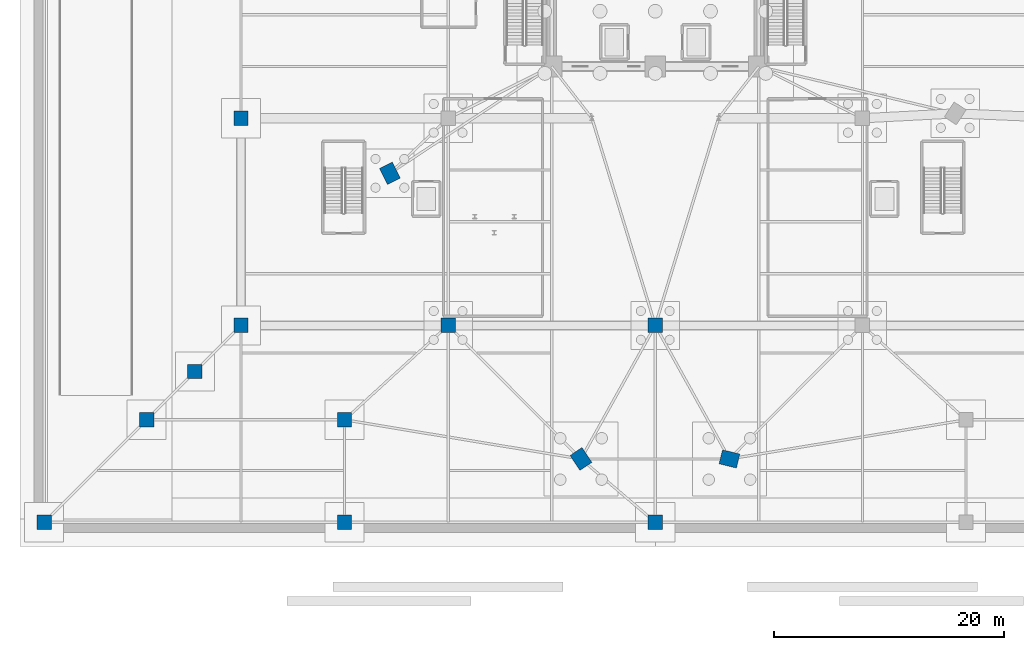
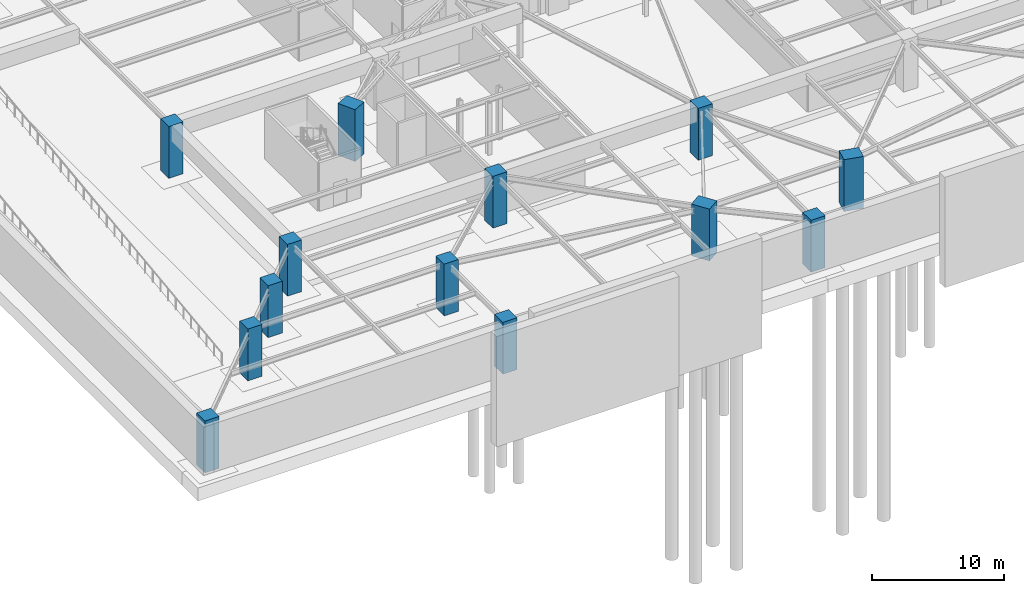
# One storey, part 2 of 19: 13 columns.
"""IFC4 building model written with IfcOpenShell, lengths in metres."""

from ifc_helpers import new_model, si_unit, direction, frame, origin, origin_2d, place, context, subcontext, project, spatial, rectangle, extrude, source, transform, mapped, material, material_profile, profile_set, type_object, element, save


model = new_model("IFC4")

# Units and contexts
model_context = context("Model", 3, precision=1e-05, world=origin(), true_north=direction((0.0, 1.0)))
body_context = subcontext(model_context, "Body", "Model", "MODEL_VIEW")
ifc_project = project(units=[si_unit("LENGTHUNIT", "METRE"), si_unit("AREAUNIT", "SQUARE_METRE"), si_unit("VOLUMEUNIT", "CUBIC_METRE"), si_unit("PLANEANGLEUNIT", "RADIAN"), si_unit("MASSUNIT", "GRAM", prefix="KILO")], contexts=[model_context])

# Site, building, storey
site_placement = place(None, origin())
site = spatial("IfcSite", under=ifc_project, at=site_placement, CompositionType="ELEMENT")
building_placement = place(site_placement, origin())
building = spatial("IfcBuilding", under=site, at=building_placement, Name="Liaohun Quay Tower", CompositionType="ELEMENT")
storey_placement = place(building_placement, frame((0.0, 0.0, -9.60009765625)))
storey = spatial("IfcBuildingStorey", under=building, at=storey_placement, Name="B2", CompositionType="ELEMENT", Elevation=-9.60009765625)

# Columns
ifc_material = material(Name="Concrete C60", Category="concrete")
ifc_material_profile_1 = material_profile(ifc_material, rectangle(XDim=1.550048828125, YDim=1.25, at=origin_2d()), Name="RC1550x1250")
ifc_profile_set_1 = profile_set([ifc_material_profile_1], Name="Concrete C60")
column_type_1 = type_object("IfcColumnType", Name="COL-PIER-Z1", PredefinedType="COLUMN", material=ifc_profile_set_1)
shared_shape_1 = source(origin(), body_context, "Body", "SweptSolid", [
    extrude(rectangle(XDim=1.550048828125, YDim=1.25, at=origin_2d()), origin(), (0.0, 0.0, 1.0), 4.800048828125),
])
for number, where, z_axis, x_axis, name in (
    (1, (53.5458984375, 12.39697265625, 0.0), (0.0, 0.0, 1.0), (-0.556005513314, 0.831178602446, 0.0), "B2 Tower Mega-Pier PC01"),
    (2, (66.447998046875, 12.39892578125, 0.0), (0.0, 0.0, 1.0), (-0.972043021443, 0.234802820391, 0.0), "B2 Tower Mega-Pier PC11"),
    (3, (36.94091796875, 37.217041015625, 0.0), (0.0, 0.0, 1.0), (-0.451500573218, 0.892270829056, 0.0), "B2 Tower Mega-Pier PC02"),
):
    element("IfcColumn", number, at=place(storey_placement, frame(where, z_axis=z_axis, x_axis=x_axis)), inside=storey, type_object=column_type_1, Name=name, PredefinedType="COLUMN", context=body_context, shape_type="MappedRepresentation", body=[
        mapped(shared_shape_1, transform((0.0, 0.0, 0.0), x_axis=(1.0, 0.0, 0.0), y_axis=(0.0, 1.0, 0.0), z_axis=(0.0, 0.0, 1.0), scale=1.0)),
    ])
ifc_material_profile_2 = material_profile(ifc_material, rectangle(XDim=1.25, YDim=1.25, at=origin_2d()), Name="RC1250x1250")
ifc_profile_set_2 = profile_set([ifc_material_profile_2], Name="Concrete C60")
column_type_2 = type_object("IfcColumnType", Name="COL-POD-B", PredefinedType="COLUMN", material=ifc_profile_set_2)
shared_shape_2 = source(origin(), body_context, "Body", "SweptSolid", [
    extrude(rectangle(XDim=1.25, YDim=1.25, at=origin_2d()), origin(), (0.0, 0.0, 1.0), 4.800048828125),
])
for number, where, z_axis, x_axis, name in (
    (4, (24.0, 24.0, 0.0), (0.0, 0.0, 1.0), (1.0, 0.0, 0.0), "B2 Podium Column PG01"),
    (5, (42.0, 24.0, 0.0), (0.0, 0.0, 1.0), (1.0, 0.0, 0.0), "B2 Podium Column PG02"),
    (6, (60.0, 24.0, 0.0), (0.0, 0.0, 1.0), (1.0, 0.0, 0.0), "B2 Podium Column PG03"),
    (7, (24.0, 42.0, 0.0), (0.0, 0.0, 1.0), (1.0, 0.0, 0.0), "B2 Podium Column PG06"),
    (8, (15.800048828125, 15.800048828125, 0.0), (0.0, 0.0, 1.0), (1.0, 0.0, 0.0), "B2 Podium Column PT01"),
    (9, (33.0, 15.800048828125, 0.0), (0.0, 0.0, 1.0), (1.0, 0.0, 0.0), "B2 Podium Column PT02"),
    (10, (20.0, 20.0, 0.0), (0.0, 0.0, 1.0), (1.0, 0.0, 0.0), "B2 Podium Column PT05"),
    (11, (6.89990234375, 6.89990234375, 0.0), (0.0, 0.0, 1.0), (1.0, 0.0, 0.0), "B2 Podium Column BP01"),
    (12, (33.0, 6.89990234375, 0.0), (0.0, 0.0, 1.0), (1.0, 0.0, 0.0), "B2 Podium Column BP02"),
    (13, (60.0, 6.89990234375, 0.0), (0.0, 0.0, 1.0), (1.0, 0.0, 0.0), "B2 Podium Column BP03"),
):
    element("IfcColumn", number, at=place(storey_placement, frame(where, z_axis=z_axis, x_axis=x_axis)), inside=storey, type_object=column_type_2, Name=name, PredefinedType="COLUMN", context=body_context, shape_type="MappedRepresentation", body=[
        mapped(shared_shape_2, transform((0.0, 0.0, 0.0), x_axis=(1.0, 0.0, 0.0), y_axis=(0.0, 1.0, 0.0), z_axis=(0.0, 0.0, 1.0), scale=1.0)),
    ])

save(model, "model.ifc")
